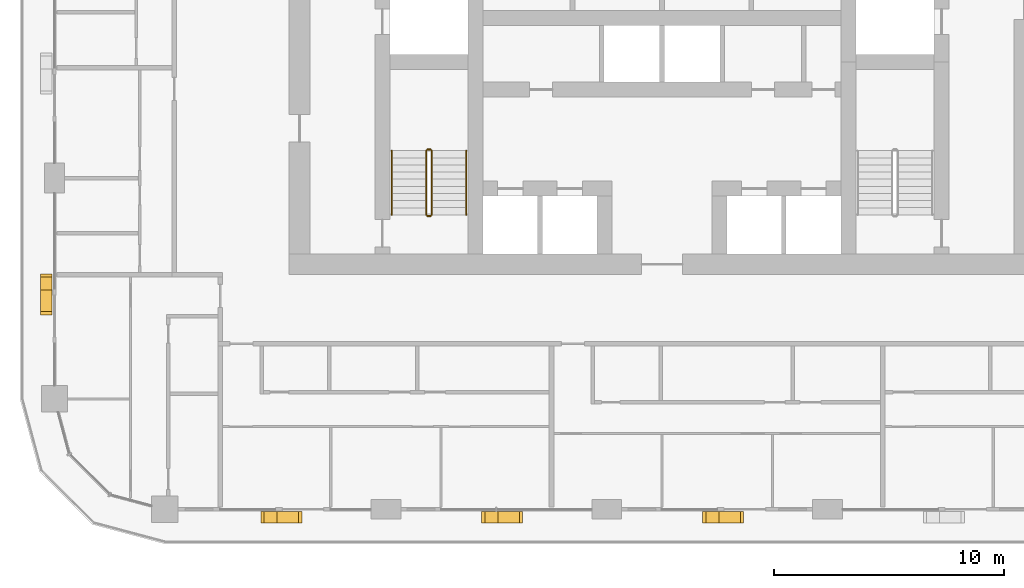
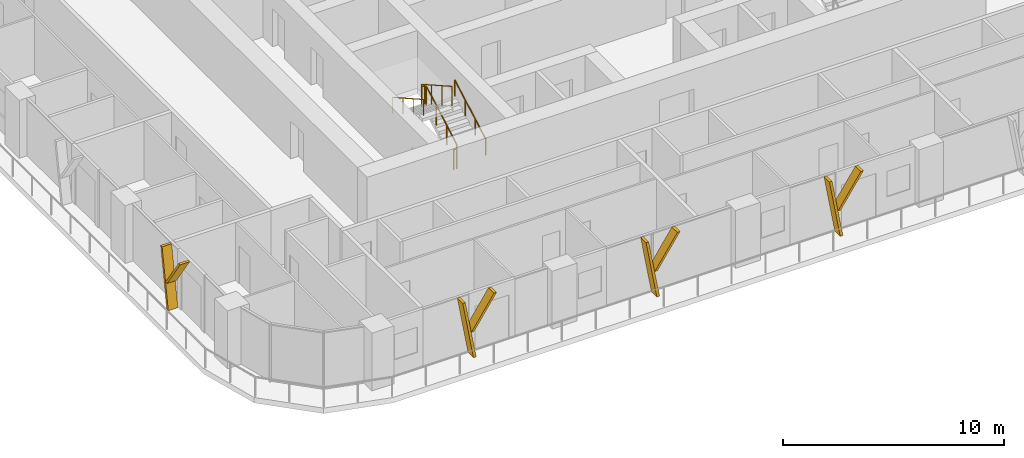
# One storey, part 17 of 22: 8 shading devices, 6 railings.
"""IFC4 building model written with IfcOpenShell, lengths in metres."""

from ifc_helpers import new_model, si_unit, direction, frame, origin, origin_2d, place, context, subcontext, project, spatial, polyline, circle, outline, extrude, material, type_object, element, save


model = new_model("IFC4")

# Units and contexts
model_context = context("Model", 3, precision=1e-05, world=origin(), true_north=direction((0.0, 1.0)))
body_context = subcontext(model_context, "Body", "Model", "MODEL_VIEW")
ifc_project = project(units=[si_unit("LENGTHUNIT", "METRE"), si_unit("AREAUNIT", "SQUARE_METRE"), si_unit("VOLUMEUNIT", "CUBIC_METRE"), si_unit("PLANEANGLEUNIT", "RADIAN"), si_unit("MASSUNIT", "GRAM", prefix="KILO")], contexts=[model_context])

# Site, building, storey
site_placement = place(None, origin())
site = spatial("IfcSite", under=ifc_project, at=site_placement, CompositionType="ELEMENT")
building_placement = place(site_placement, origin())
building = spatial("IfcBuilding", under=site, at=building_placement, Name="Madar Terraces", CompositionType="ELEMENT")
storey_placement = place(building_placement, frame((0.0, 0.0, 103.199951171875)))
storey = spatial("IfcBuildingStorey", under=building, at=storey_placement, Name="L26", CompositionType="ELEMENT", Elevation=103.199951171875)

# Shading devices
ifc_material_1 = material(Name="Aluminium, black anodised", Category="aluminium")
shading_device_type = type_object("IfcShadingDeviceType", Name="Facade fin blade 140 x 500", PredefinedType="USERDEFINED", material=ifc_material_1)
shading_device_1_placement = place(storey_placement, frame((14.330078125, 4.449951171875, 0.0), z_axis=(0.0, 0.0, 1.0), x_axis=(1.0, 0.0, 0.0)))
element("IfcShadingDevice", 1, at=shading_device_1_placement, inside=storey, type_object=shading_device_type, Name="FIN L26 S1", ObjectType="FIN", PredefinedType="USERDEFINED", context=body_context, shape_type="SweptSolid", body=[
    extrude(outline(polyline([(0.0, 0.0), (0.139892578125, 0.0), (-0.42431640625, 3.199951171875), (-0.564208984375, 3.199951171875), (0.0, 0.0)])), frame((0.0, 0.25, 0.0), z_axis=(0.0, -1.0, 0.0), x_axis=(1.0, 0.0, 0.0)), (0.0, 0.0, 1.0), 0.5),
])
shading_device_2_placement = place(storey_placement, frame((14.216064453125, 4.449951171875, 1.43994140625), z_axis=(0.0, 0.0, 1.0), x_axis=(1.0, 0.0, 0.0)))
element("IfcShadingDevice", 2, at=shading_device_2_placement, inside=storey, type_object=shading_device_type, Name="FIN L26 S1 branch", ObjectType="FIN", PredefinedType="USERDEFINED", context=body_context, shape_type="SweptSolid", body=[
    extrude(outline(polyline([(0.0, 0.0), (0.14013671875, 0.0), (1.32958984375, 1.760009765625), (1.189697265625, 1.760009765625), (0.0, 0.0)])), frame((0.0, 0.25, 0.0), z_axis=(0.0, -1.0, 0.0), x_axis=(1.0, 0.0, 0.0)), (0.0, 0.0, 1.0), 0.5),
])
shading_device_3_placement = place(storey_placement, frame((23.929931640625, 4.449951171875, 0.0), z_axis=(0.0, 0.0, 1.0), x_axis=(1.0, 0.0, 0.0)))
element("IfcShadingDevice", 3, at=shading_device_3_placement, inside=storey, type_object=shading_device_type, Name="FIN L26 S2", ObjectType="FIN", PredefinedType="USERDEFINED", context=body_context, shape_type="SweptSolid", body=[
    extrude(outline(polyline([(0.0, 0.0), (0.14013671875, 0.0), (-0.42431640625, 3.199951171875), (-0.564208984375, 3.199951171875), (0.0, 0.0)])), frame((0.0, 0.25, 0.0), z_axis=(0.0, -1.0, 0.0), x_axis=(1.0, 0.0, 0.0)), (0.0, 0.0, 1.0), 0.5),
])
shading_device_4_placement = place(storey_placement, frame((23.816162109375, 4.449951171875, 1.43994140625), z_axis=(0.0, 0.0, 1.0), x_axis=(1.0, 0.0, 0.0)))
element("IfcShadingDevice", 4, at=shading_device_4_placement, inside=storey, type_object=shading_device_type, Name="FIN L26 S2 branch", ObjectType="FIN", PredefinedType="USERDEFINED", context=body_context, shape_type="SweptSolid", body=[
    extrude(outline(polyline([(0.0, 0.0), (0.139892578125, 0.0), (1.32958984375, 1.760009765625), (1.189697265625, 1.760009765625), (0.0, 0.0)])), frame((0.0, 0.25, 0.0), z_axis=(0.0, -1.0, 0.0), x_axis=(1.0, 0.0, 0.0)), (0.0, 0.0, 1.0), 0.5),
])
shading_device_5_placement = place(storey_placement, frame((33.530029296875, 4.449951171875, 0.0), z_axis=(0.0, 0.0, 1.0), x_axis=(1.0, 0.0, 0.0)))
element("IfcShadingDevice", 5, at=shading_device_5_placement, inside=storey, type_object=shading_device_type, Name="FIN L26 S3", ObjectType="FIN", PredefinedType="USERDEFINED", context=body_context, shape_type="SweptSolid", body=[
    extrude(outline(polyline([(0.0, 0.0), (0.139892578125, 0.0), (-0.42431640625, 3.199951171875), (-0.564208984375, 3.199951171875), (0.0, 0.0)])), frame((0.0, 0.25, 0.0), z_axis=(0.0, -1.0, 0.0), x_axis=(1.0, 0.0, 0.0)), (0.0, 0.0, 1.0), 0.5),
])
shading_device_6_placement = place(storey_placement, frame((33.416015625, 4.449951171875, 1.43994140625), z_axis=(0.0, 0.0, 1.0), x_axis=(1.0, 0.0, 0.0)))
element("IfcShadingDevice", 6, at=shading_device_6_placement, inside=storey, type_object=shading_device_type, Name="FIN L26 S3 branch", ObjectType="FIN", PredefinedType="USERDEFINED", context=body_context, shape_type="SweptSolid", body=[
    extrude(outline(polyline([(0.0, 0.0), (0.14013671875, 0.0), (1.32958984375, 1.760009765625), (1.189697265625, 1.760009765625), (0.0, 0.0)])), frame((0.0, 0.25, 0.0), z_axis=(0.0, -1.0, 0.0), x_axis=(1.0, 0.0, 0.0)), (0.0, 0.0, 1.0), 0.5),
])
shading_device_7_placement = place(storey_placement, frame((4.449951171875, 14.469970703125, 0.0), z_axis=(0.0, 0.0, 1.0), x_axis=(0.0, -1.0, 0.0)))
element("IfcShadingDevice", 7, at=shading_device_7_placement, inside=storey, type_object=shading_device_type, Name="FIN L26 W4", ObjectType="FIN", PredefinedType="USERDEFINED", context=body_context, shape_type="SweptSolid", body=[
    extrude(outline(polyline([(0.0, 0.0), (0.139892578125, 0.0), (-0.42431640625, 3.199951171875), (-0.564208984375, 3.199951171875), (0.0, 0.0)])), frame((0.0, 0.25, 0.0), z_axis=(0.0, -1.0, 0.0), x_axis=(1.0, 0.0, 0.0)), (0.0, 0.0, 1.0), 0.5),
])
shading_device_8_placement = place(storey_placement, frame((4.449951171875, 14.583984375, 1.43994140625), z_axis=(0.0, 0.0, 1.0), x_axis=(0.0, -1.0, 0.0)))
element("IfcShadingDevice", 8, at=shading_device_8_placement, inside=storey, type_object=shading_device_type, Name="FIN L26 W4 branch", ObjectType="FIN", PredefinedType="USERDEFINED", context=body_context, shape_type="SweptSolid", body=[
    extrude(outline(polyline([(0.0, 0.0), (0.14013671875, 0.0), (1.32958984375, 1.760009765625), (1.189697265625, 1.760009765625), (0.0, 0.0)])), frame((0.0, 0.25, 0.0), z_axis=(0.0, -1.0, 0.0), x_axis=(1.0, 0.0, 0.0)), (0.0, 0.0, 1.0), 0.5),
])

# Railings
ifc_material_2 = material(Name="Stainless steel railing", Category="steel")
railing_type_1 = type_object("IfcRailingType", Name="Stair guard 1100", PredefinedType="GUARDRAIL", material=ifc_material_2)
railing_1_placement = place(storey_placement, frame((21.199951171875, 17.60009765625, 0.175048828125)))
element("IfcRailing", 9, at=railing_1_placement, inside=storey, type_object=railing_type_1, Name="L26 ST1 stair guard 1", PredefinedType="GUARDRAIL", context=body_context, shape_type="SweptSolid", body=[
    extrude(circle(Radius=0.02392578125, at=origin_2d()), frame((0.0, 0.0, 1.076171875), z_axis=(0.0, 0.870815363784, 0.491610213684), x_axis=(-1.0, 0.0, 0.0)), (0.0, 0.0, 1.0), 3.20361328125),
    extrude(circle(Radius=0.02099609375, at=origin_2d()), origin(), (0.0, 0.0, 1.0), 1.052001953125),
    extrude(circle(Radius=0.02099609375, at=origin_2d()), frame((0.0, 0.929931640625, 0.52490234375)), (0.0, 0.0, 1.0), 1.052001953125),
    extrude(circle(Radius=0.02099609375, at=origin_2d()), frame((0.0, 1.85986328125, 1.050048828125)), (0.0, 0.0, 1.0), 1.052001953125),
    extrude(circle(Radius=0.02099609375, at=origin_2d()), frame((0.0, 2.789794921875, 1.574951171875)), (0.0, 0.0, 1.0), 1.052001953125),
])
railing_2_placement = place(storey_placement, frame((21.14990234375, 20.43994140625, 1.75)))
element("IfcRailing", 10, at=railing_2_placement, inside=storey, type_object=railing_type_1, Name="L26 ST1 stair guard 2", PredefinedType="GUARDRAIL", context=body_context, shape_type="SweptSolid", body=[
    extrude(circle(Radius=0.02392578125, at=origin_2d()), frame((0.0, 0.0, 1.076171875), z_axis=(-1.0, 0.0, 0.0), x_axis=(0.0, -1.0, 0.0)), (0.0, 0.0, 1.0), 0.14990234375),
    extrude(circle(Radius=0.02099609375, at=origin_2d()), origin(), (0.0, 0.0, 1.0), 1.052001953125),
    extrude(circle(Radius=0.02099609375, at=origin_2d()), frame((-0.14990234375, 0.0, 0.0)), (0.0, 0.0, 1.0), 1.052001953125),
])
railing_3_placement = place(storey_placement, frame((20.949951171875, 20.389892578125, 1.925048828125)))
element("IfcRailing", 11, at=railing_3_placement, inside=storey, type_object=railing_type_1, Name="L26 ST1 stair guard 3", PredefinedType="GUARDRAIL", context=body_context, shape_type="SweptSolid", body=[
    extrude(circle(Radius=0.02392578125, at=origin_2d()), frame((0.0, 0.0, 1.076171875), z_axis=(0.0, -0.870815363784, 0.491610213684), x_axis=(1.0, 0.0, 0.0)), (0.0, 0.0, 1.0), 3.20361328125),
    extrude(circle(Radius=0.02099609375, at=origin_2d()), origin(), (0.0, 0.0, 1.0), 1.052001953125),
    extrude(circle(Radius=0.02099609375, at=origin_2d()), frame((0.0, -0.929931640625, 0.52490234375)), (0.0, 0.0, 1.0), 1.052001953125),
    extrude(circle(Radius=0.02099609375, at=origin_2d()), frame((0.0, -1.85986328125, 1.050048828125)), (0.0, 0.0, 1.0), 1.052001953125),
    extrude(circle(Radius=0.02099609375, at=origin_2d()), frame((0.0, -2.789794921875, 1.574951171875)), (0.0, 0.0, 1.0), 1.052001953125),
])
railing_4_placement = place(storey_placement, frame((21.14990234375, 17.550048828125, 0.0)))
element("IfcRailing", 12, at=railing_4_placement, inside=storey, type_object=railing_type_1, Name="L26 ST1 stair guard 4", PredefinedType="GUARDRAIL", context=body_context, shape_type="SweptSolid", body=[
    extrude(circle(Radius=0.02392578125, at=origin_2d()), frame((0.0, 0.0, 1.076171875), z_axis=(-1.0, 0.0, 0.0), x_axis=(0.0, -1.0, 0.0)), (0.0, 0.0, 1.0), 0.14990234375),
    extrude(circle(Radius=0.02099609375, at=origin_2d()), origin(), (0.0, 0.0, 1.0), 1.052001953125),
    extrude(circle(Radius=0.02099609375, at=origin_2d()), frame((-0.14990234375, 0.0, 0.0)), (0.0, 0.0, 1.0), 1.052001953125),
])
ifc_material_3 = material(Name="Stainless steel railing", Category="steel")
railing_type_2 = type_object("IfcRailingType", Name="Stair handrail 900", PredefinedType="HANDRAIL", material=ifc_material_3)
railing_5_placement = place(storey_placement, frame((22.699951171875, 17.60009765625, 0.175048828125)))
element("IfcRailing", 13, at=railing_5_placement, inside=storey, type_object=railing_type_2, Name="L26 ST1 stair handrail 1", PredefinedType="HANDRAIL", context=body_context, shape_type="SweptSolid", body=[
    extrude(circle(Radius=0.02392578125, at=origin_2d()), frame((0.0, 0.0, 0.8759765625), z_axis=(0.0, 0.870815363784, 0.491610213684), x_axis=(-1.0, 0.0, 0.0)), (0.0, 0.0, 1.0), 3.20361328125),
    extrude(circle(Radius=0.02099609375, at=origin_2d()), origin(), (0.0, 0.0, 1.0), 0.851806640625),
    extrude(circle(Radius=0.02099609375, at=origin_2d()), frame((0.0, 0.929931640625, 0.52490234375)), (0.0, 0.0, 1.0), 0.851806640625),
    extrude(circle(Radius=0.02099609375, at=origin_2d()), frame((0.0, 1.85986328125, 1.050048828125)), (0.0, 0.0, 1.0), 0.851806640625),
    extrude(circle(Radius=0.02099609375, at=origin_2d()), frame((0.0, 2.789794921875, 1.574951171875)), (0.0, 0.0, 1.0), 0.851806640625),
])
railing_6_placement = place(storey_placement, frame((19.449951171875, 20.389892578125, 1.925048828125)))
element("IfcRailing", 14, at=railing_6_placement, inside=storey, type_object=railing_type_2, Name="L26 ST1 stair handrail 2", PredefinedType="HANDRAIL", context=body_context, shape_type="SweptSolid", body=[
    extrude(circle(Radius=0.02392578125, at=origin_2d()), frame((0.0, 0.0, 0.8759765625), z_axis=(0.0, -0.870815363784, 0.491610213684), x_axis=(1.0, 0.0, 0.0)), (0.0, 0.0, 1.0), 3.20361328125),
    extrude(circle(Radius=0.02099609375, at=origin_2d()), origin(), (0.0, 0.0, 1.0), 0.851806640625),
    extrude(circle(Radius=0.02099609375, at=origin_2d()), frame((0.0, -0.929931640625, 0.52490234375)), (0.0, 0.0, 1.0), 0.851806640625),
    extrude(circle(Radius=0.02099609375, at=origin_2d()), frame((0.0, -1.85986328125, 1.050048828125)), (0.0, 0.0, 1.0), 0.851806640625),
    extrude(circle(Radius=0.02099609375, at=origin_2d()), frame((0.0, -2.789794921875, 1.574951171875)), (0.0, 0.0, 1.0), 0.851806640625),
])

save(model, "model.ifc")
